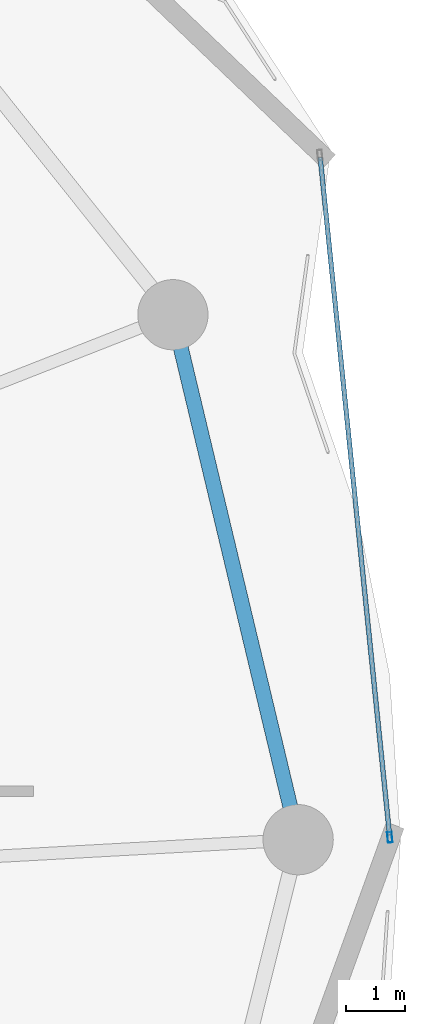
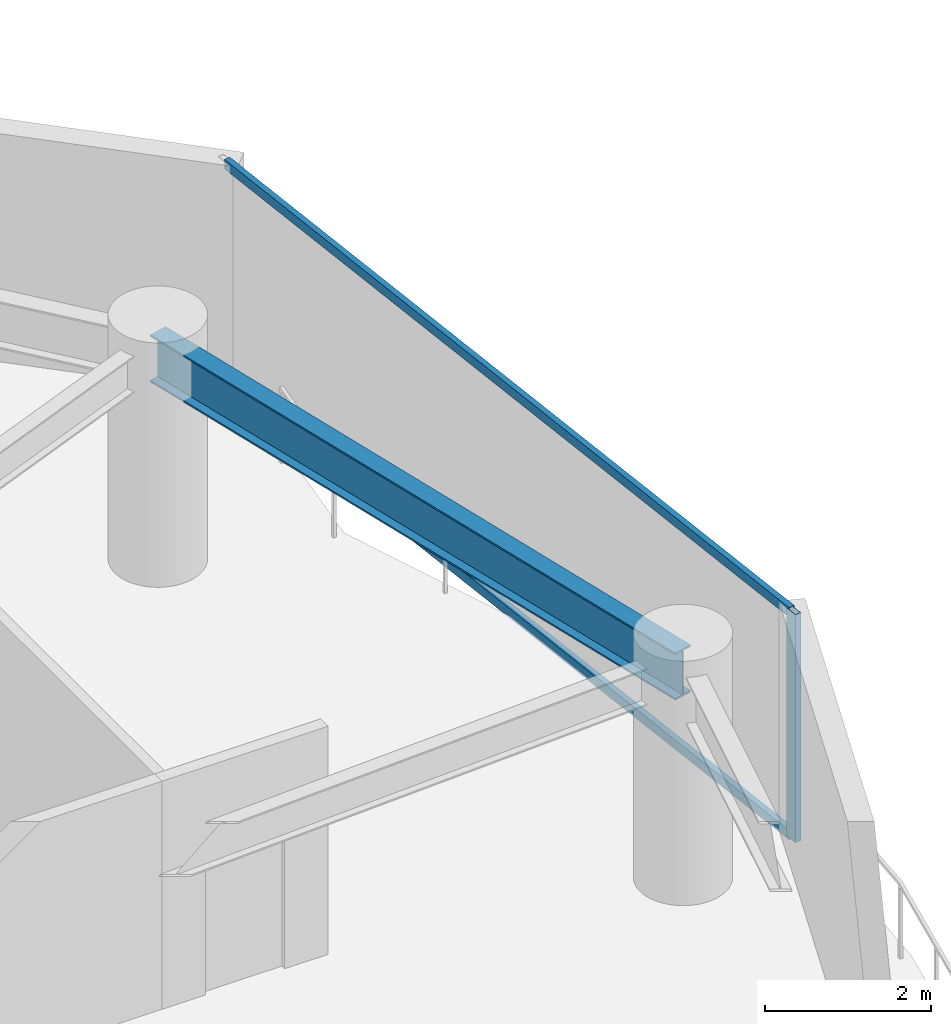
# One storey, part 15 of 31: 3 members, 1 beam, 1 element without a shape of its own.
"""IFC4 building model written with IfcOpenShell, lengths in metres."""

from ifc_helpers import new_model, si_unit, direction, frame, origin, origin_2d, place, context, subcontext, project, spatial, hollow_rectangle, i_section, extrude, material, layer, layer_set, material_profile, profile_set, type_object, element, aggregate, save


model = new_model("IFC4")

# Units and contexts
model_context = context("Model", 3, precision=1e-05, world=origin(), true_north=direction((0.0, 1.0)))
body_context = subcontext(model_context, "Body", "Model", "MODEL_VIEW")
ifc_project = project(units=[si_unit("LENGTHUNIT", "METRE"), si_unit("AREAUNIT", "SQUARE_METRE"), si_unit("VOLUMEUNIT", "CUBIC_METRE"), si_unit("PLANEANGLEUNIT", "RADIAN"), si_unit("MASSUNIT", "GRAM", prefix="KILO")], contexts=[model_context])

# Site, building, storey
site_placement = place(None, origin())
site = spatial("IfcSite", under=ifc_project, at=site_placement, CompositionType="ELEMENT")
building_placement = place(site_placement, origin())
building = spatial("IfcBuilding", under=site, at=building_placement, Name="Kazevale Care Tower and Concert Hall", CompositionType="ELEMENT")
storey_placement = place(building_placement, frame((0.0, 0.0, 124.199951171875)))
storey = spatial("IfcBuildingStorey", under=building, at=storey_placement, Name="L32", CompositionType="ELEMENT", Elevation=124.199951171875)

# Curtain wall, members
ifc_material_1 = material(Name="Aluminium 6063-T6 and Low-E Glass", Category="aluminium")
ifc_layer = layer(ifc_material_1, 0.179931640625)
ifc_layer_set = layer_set([ifc_layer], Name="Aluminium 6063-T6 and Low-E Glass")
curtain_wall_type = type_object("IfcCurtainWallType", Name="Waist & Upper Residential Curtain Wall CW-4", PredefinedType="NOTDEFINED", material=ifc_layer_set)
curtain_wall_placement = place(storey_placement, origin())
curtain_wall = element("IfcCurtainWall", 1, at=curtain_wall_placement, inside=storey, type_object=curtain_wall_type, Name="cw:L32:f18", PredefinedType="NOTDEFINED")
ifc_material_2 = material(Name="Aluminium 6063-T6", Category="aluminium")
ifc_material_profile_1 = material_profile(ifc_material_2, hollow_rectangle(XDim=0.080078125, YDim=0.179931640625, WallThickness=0.0048828125, at=origin_2d()), Name="ALU80x180x5")
ifc_profile_set_1 = profile_set([ifc_material_profile_1], Name="Aluminium 6063-T6")
member_type_1 = type_object("IfcMemberType", Name="CW-4 Mullion ALU80x180x5", PredefinedType="MULLION", material=ifc_profile_set_1)
member_1_placement = place(storey_placement, frame((74.615966796875, 38.039794921875, 0.0), z_axis=(0.0, 0.0, 1.0), x_axis=(0.994797747326, 0.101869730126, 0.0)))
member_1 = element("IfcMember", 2, at=member_1_placement, type_object=member_type_1, Name="CW-4 mullion 2", PredefinedType="MULLION", context=body_context, shape_type="SweptSolid", body=[
    extrude(hollow_rectangle(XDim=0.080078125, YDim=0.179931640625, WallThickness=0.0048828125, at=origin_2d()), origin(), (0.0, 0.0, 1.0), 3.360107421875),
])
ifc_material_profile_2 = material_profile(ifc_material_2, hollow_rectangle(XDim=0.080078125, YDim=0.139892578125, WallThickness=0.00390625, at=origin_2d()), Name="ALU80x140x4")
ifc_profile_set_2 = profile_set([ifc_material_profile_2], Name="Aluminium 6063-T6")
member_type_2 = type_object("IfcMemberType", Name="CW-4 Transom ALU80x140x4", PredefinedType="USERDEFINED", material=ifc_profile_set_2)
member_2_placement = place(storey_placement, frame((73.42626953125, 49.658447265625, 0.0400390625), z_axis=(0.101856421, -0.994799110123, 0.0), x_axis=(0.994799110123, 0.101856421, 0.0)))
member_2 = element("IfcMember", 3, at=member_2_placement, type_object=member_type_2, Name="CW-4 transom 1.1", ObjectType="TRANSOM", PredefinedType="USERDEFINED", context=body_context, shape_type="SweptSolid", body=[
    extrude(hollow_rectangle(XDim=0.080078125, YDim=0.139892578125, WallThickness=0.00390625, at=origin_2d()), origin(), (0.0, 0.0, 1.0), 11.639404296875),
])
member_3_placement = place(storey_placement, frame((73.42626953125, 49.658447265625, 3.320068359375), z_axis=(0.101856421, -0.994799110123, 0.0), x_axis=(0.994799110123, 0.101856421, 0.0)))
member_3 = element("IfcMember", 4, at=member_3_placement, type_object=member_type_2, Name="CW-4 transom 1.2", ObjectType="TRANSOM", PredefinedType="USERDEFINED", context=body_context, shape_type="SweptSolid", body=[
    extrude(hollow_rectangle(XDim=0.080078125, YDim=0.139892578125, WallThickness=0.00390625, at=origin_2d()), origin(), (0.0, 0.0, 1.0), 11.639404296875),
])
aggregate(curtain_wall, [member_1, member_2, member_3])

# Beam
ifc_material_3 = material(Name="Steel ASTM A572 Gr 50", Category="steel")
ifc_material_profile_3 = material_profile(ifc_material_3, i_section(OverallWidth=0.256103515625, OverallDepth=0.693115234375, WebThickness=0.014404296875, FlangeThickness=0.023681640625, at=origin_2d()), Name="W690x170")
ifc_profile_set_3 = profile_set([ifc_material_profile_3], Name="Steel ASTM A572 Gr 50")
beam_type = type_object("IfcBeamType", Name="Waist Ring Beam W690x170", PredefinedType="BEAM", material=ifc_profile_set_3)
beam_placement = place(storey_placement, frame((73.050048828125, 38.0, 3.013427734375), z_axis=(-0.232075055882, 0.972697881378, 0.0), x_axis=(-0.972697881378, -0.232075055882, 0.0)))
element("IfcBeam", 5, at=beam_placement, inside=storey, type_object=beam_type, Name="beam:L32:ring:01", PredefinedType="BEAM", context=body_context, shape_type="SweptSolid", body=[
    extrude(i_section(OverallWidth=0.256103515625, OverallDepth=0.693115234375, WebThickness=0.014404296875, FlangeThickness=0.023681640625, at=origin_2d()), origin(), (0.0, 0.0, 1.0), 9.2216796875),
])

save(model, "model.ifc")
